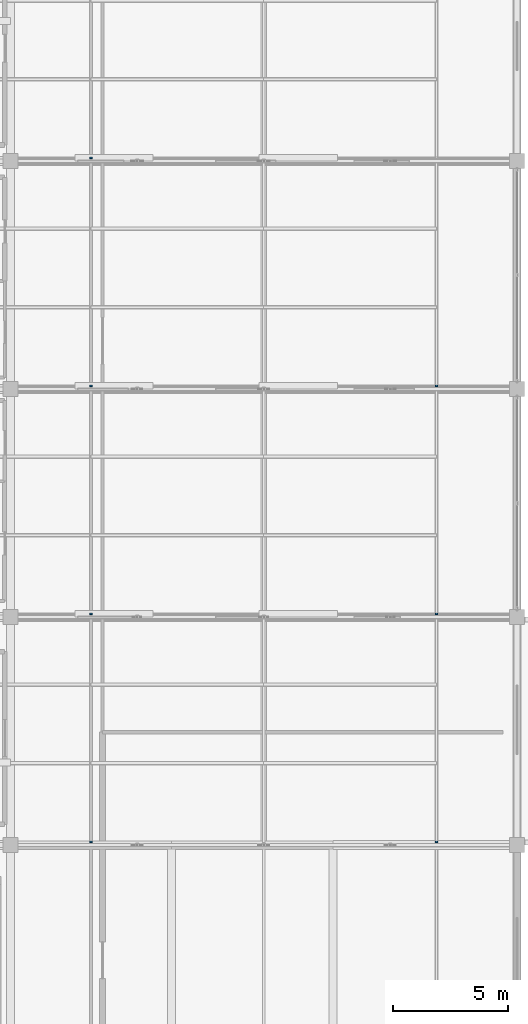
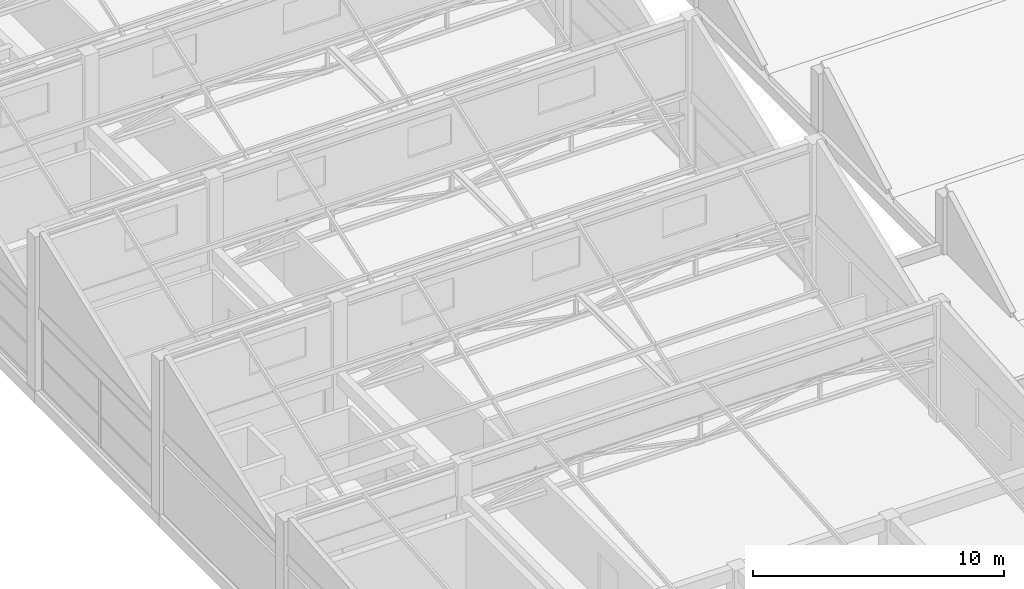
# One storey, part 33 of 35: 7 discrete accessories.
"""IFC4 building model written with IfcOpenShell, lengths in metres."""

from ifc_helpers import new_model, si_unit, direction, frame, origin, place, context, subcontext, project, spatial, polyline, outline, extrude, material, layer, layer_set, type_object, element, save


model = new_model("IFC4")

# Units and contexts
model_context = context("Model", 3, precision=1e-05, world=origin(), true_north=direction((0.0, 1.0)))
body_context = subcontext(model_context, "Body", "Model", "MODEL_VIEW")
ifc_project = project(units=[si_unit("LENGTHUNIT", "METRE"), si_unit("AREAUNIT", "SQUARE_METRE"), si_unit("VOLUMEUNIT", "CUBIC_METRE"), si_unit("PLANEANGLEUNIT", "RADIAN"), si_unit("MASSUNIT", "GRAM", prefix="KILO")], contexts=[model_context])

# Site, building, storey
site_placement = place(None, origin())
site = spatial("IfcSite", under=ifc_project, at=site_placement, CompositionType="ELEMENT")
building_placement = place(site_placement, origin())
building = spatial("IfcBuilding", under=site, at=building_placement, Name="Sillaruma Civic Art Gallery", CompositionType="ELEMENT")
storey_placement = place(building_placement, frame((0.0, 0.0, 74.4599609375)))
storey = spatial("IfcBuildingStorey", under=building, at=storey_placement, Name="L15", CompositionType="ELEMENT", Elevation=74.4599609375)

# Discrete accessories
ifc_material = material(Name="Structural Steel ASTM A500 Gr.C", Category="steel")
ifc_layer = layer(ifc_material, 0.010009765625, Name="Structural Steel ASTM A500 Gr.C")
ifc_layer_set = layer_set([ifc_layer], Name="Structural Steel ASTM A500 Gr.C")
discrete_accessory_type = type_object("IfcDiscreteAccessoryType", Name="ACC-EP-HSS200", PredefinedType="USERDEFINED", material=ifc_layer_set)
for number, where, z_axis, x_axis, name in (
    (1, (73.56005859375, 39.7734375, 3.8056640625), (0.0, 0.942539258014, 0.334095416165), (-1.0, 0.0, 0.0), "Rafter Eave End Plate (1-W)"),
    (2, (88.56005859375, 39.7734375, 3.8056640625), (0.0, 0.942539258014, 0.334095416165), (-1.0, 0.0, 0.0), "Rafter Eave End Plate (1-E)"),
):
    element("IfcDiscreteAccessory", number, at=place(storey_placement, frame(where, z_axis=z_axis, x_axis=x_axis)), inside=storey, type_object=discrete_accessory_type, Name=name, ObjectType="END PLATE", PredefinedType="USERDEFINED", context=body_context, shape_type="SweptSolid", body=[
        extrude(outline(polyline([(0.0, 0.0), (0.1201171875, 0.0), (0.1201171875, 0.20022582775244457), (0.0, 0.20022582775244457), (0.0, 0.0)])), origin(), (0.0, 0.0, -1.0), 0.010009765625),
    ])
for number, where, z_axis, x_axis, name in (
    (3, (73.56005859375, 49.67333984375, 3.8056640625), (0.0, 0.942922754758, 0.333011529171), (-1.0, 0.0, 0.0), "Rafter Eave End Plate (2-W)"),
    (4, (88.56005859375, 49.67333984375, 3.8056640625), (0.0, 0.942922754758, 0.333011529171), (-1.0, 0.0, 0.0), "Rafter Eave End Plate (2-E)"),
):
    element("IfcDiscreteAccessory", number, at=place(storey_placement, frame(where, z_axis=z_axis, x_axis=x_axis)), inside=storey, type_object=discrete_accessory_type, Name=name, ObjectType="END PLATE", PredefinedType="USERDEFINED", context=body_context, shape_type="SweptSolid", body=[
        extrude(outline(polyline([(0.0, 0.0), (0.1201171875, 0.0), (0.1201171875, 0.20014439377224502), (0.0, 0.20014439377224502), (0.0, 0.0)])), origin(), (0.0, 0.0, -1.0), 0.010009765625),
    ])
for number, where, z_axis, x_axis, name in (
    (5, (73.56005859375, 59.573486328125, 3.8056640625), (0.0, 0.942539258014, 0.334095416165), (-1.0, 0.0, 0.0), "Rafter Eave End Plate (3-W)"),
    (6, (88.56005859375, 59.573486328125, 3.8056640625), (0.0, 0.942539258014, 0.334095416165), (-1.0, 0.0, 0.0), "Rafter Eave End Plate (3-E)"),
    (7, (73.56005859375, 69.473388671875, 3.8056640625), (0.0, 0.942539258014, 0.334095416165), (-1.0, 0.0, 0.0), "Rafter Eave End Plate (4-W)"),
):
    element("IfcDiscreteAccessory", number, at=place(storey_placement, frame(where, z_axis=z_axis, x_axis=x_axis)), inside=storey, type_object=discrete_accessory_type, Name=name, ObjectType="END PLATE", PredefinedType="USERDEFINED", context=body_context, shape_type="SweptSolid", body=[
        extrude(outline(polyline([(0.0, 0.0), (0.1201171875, 0.0), (0.1201171875, 0.20022582775244457), (0.0, 0.20022582775244457), (0.0, 0.0)])), origin(), (0.0, 0.0, -1.0), 0.010009765625),
    ])

save(model, "model.ifc")
